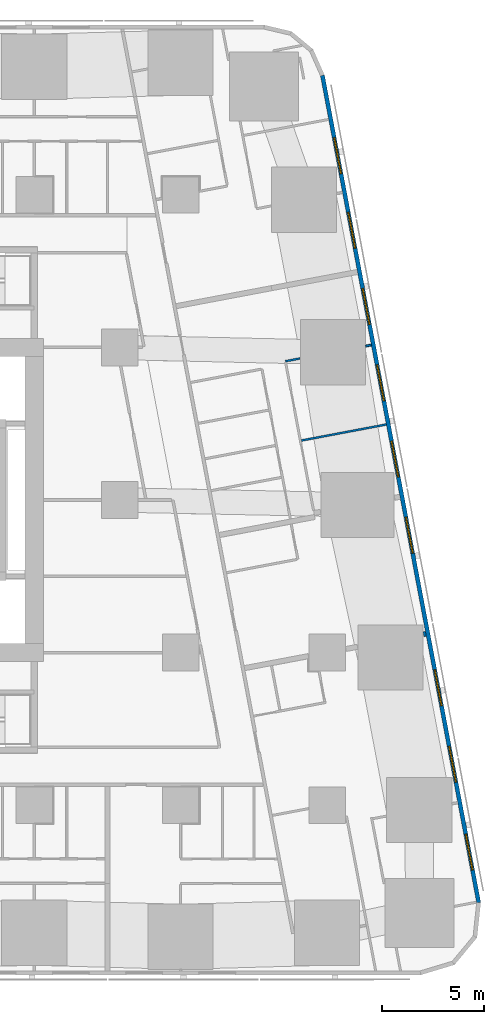
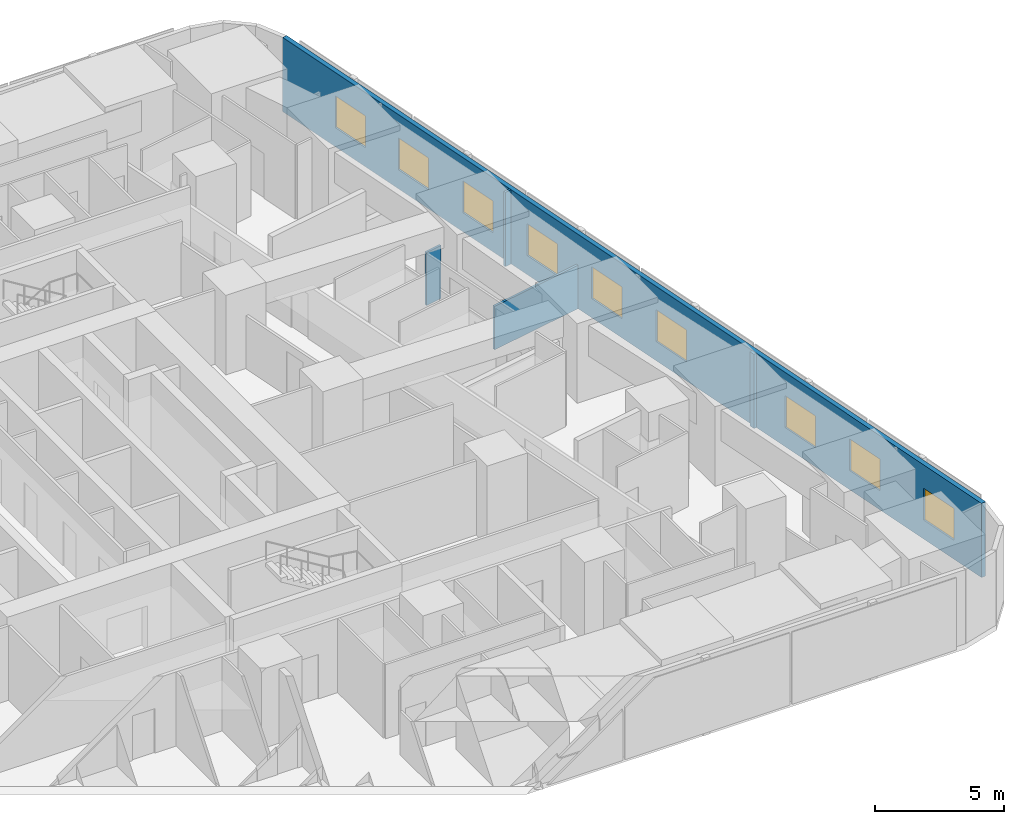
# One storey, part 10 of 17: 9 windows, 5 walls, 9 openings.
"""IFC4 building model written with IfcOpenShell, lengths in metres."""

from ifc_helpers import new_model, si_unit, direction, frame, frame_2d, origin, place, context, subcontext, project, spatial, rectangle, extrude, material, layer, layer_set, type_object, element, fill, save


model = new_model("IFC4")

# Units and contexts
model_context = context("Model", 3, precision=1e-05, world=origin(), true_north=direction((0.0, 1.0)))
body_context = subcontext(model_context, "Body", "Model", "MODEL_VIEW")
ifc_project = project(units=[si_unit("LENGTHUNIT", "METRE"), si_unit("AREAUNIT", "SQUARE_METRE"), si_unit("VOLUMEUNIT", "CUBIC_METRE"), si_unit("PLANEANGLEUNIT", "RADIAN"), si_unit("MASSUNIT", "GRAM", prefix="KILO")], contexts=[model_context])

# Site, building, storey
site_placement = place(None, origin())
site = spatial("IfcSite", under=ifc_project, at=site_placement, CompositionType="ELEMENT")
building_placement = place(site_placement, origin())
building = spatial("IfcBuilding", under=site, at=building_placement, Name="Sheger Commons Tower", CompositionType="ELEMENT")
storey_placement = place(building_placement, frame((0.0, 0.0, 23.75)))
storey = spatial("IfcBuildingStorey", under=building, at=storey_placement, Name="L05", CompositionType="ELEMENT", Elevation=23.75)

# Wall
ifc_material_1 = material(Name="Dense concrete block masonry, plastered both sides (separating wall between flats)", Category="masonry")
ifc_layer_1 = layer(ifc_material_1, 0.25)
ifc_layer_set_1 = layer_set([ifc_layer_1], Name="DEMISING WALL 250")
wall_type_1 = type_object("IfcWallType", Name="DEMISING WALL 250", PredefinedType="SOLIDWALL", material=ifc_layer_set_1)
wall_1_placement = place(storey_placement, frame((48.054931640625, 15.9169921875, 0.0), z_axis=(0.0, 0.0, 1.0), x_axis=(-0.98280243359, -0.184660164975, 0.0)))
element("IfcWall", 1, at=wall_1_placement, inside=storey, type_object=wall_type_1, Name="Demising wall L05", PredefinedType="SOLIDWALL", context=body_context, shape_type="SweptSolid", body=[
    extrude(rectangle(XDim=0.118896484375, YDim=0.25, at=frame_2d((0.0595703125, 0.0))), origin(), (0.0, 0.0, 1.0), 3.5),
])

# Wall, openings, windows
ifc_material_2 = material(Name="Rendered concrete block masonry, dark grey", Category="masonry")
ifc_layer_2 = layer(ifc_material_2, 0.199951171875)
ifc_layer_set_2 = layer_set([ifc_layer_2], Name="FACADE WALL 200")
wall_type_2 = type_object("IfcWallType", Name="FACADE WALL 200", PredefinedType="SOLIDWALL", material=ifc_layer_set_2)
wall_2_placement = place(storey_placement, frame((50.653076171875, 2.702880859375, 0.0), z_axis=(0.0, 0.0, 1.0), x_axis=(-0.185612026696, 0.982623109613, 0.0)))
wall_2 = element("IfcWall", 2, at=wall_2_placement, inside=storey, type_object=wall_type_2, Name="Facade wall L05", PredefinedType="SOLIDWALL", context=body_context, shape_type="SweptSolid", body=[
    extrude(rectangle(XDim=41.393310546875, YDim=0.199951171875, at=frame_2d((20.69677734375, 0.0))), origin(), (0.0, 0.0, 1.0), 3.5),
])
opening_1_placement = place(wall_2_placement, frame((1.633056640625, 0.0, 0.89990234375)))
opening_1 = element("IfcOpeningElement", 3, at=opening_1_placement, cuts=wall_2, Name="Opening W2", PredefinedType="OPENING", context=body_context, shape_type="SweptSolid", body=[
    extrude(rectangle(XDim=1.800048828125, YDim=1.5, at=frame_2d((0.89990234375, 0.75))), frame((0.0, 0.10986328125, 0.0), z_axis=(0.0, -1.0, 0.0), x_axis=(1.0, 0.0, 0.0)), (0.0, 0.0, 1.0), 0.219970703125),
])
opening_2_placement = place(wall_2_placement, frame((6.031982421875, 0.0, 0.89990234375)))
opening_2 = element("IfcOpeningElement", 4, at=opening_2_placement, cuts=wall_2, Name="Opening W2", PredefinedType="OPENING", context=body_context, shape_type="SweptSolid", body=[
    extrude(rectangle(XDim=1.800048828125, YDim=1.5, at=frame_2d((0.89990234375, 0.75))), frame((0.0, 0.10986328125, 0.0), z_axis=(0.0, -1.0, 0.0), x_axis=(1.0, 0.0, 0.0)), (0.0, 0.0, 1.0), 0.219970703125),
])
opening_3_placement = place(wall_2_placement, frame((9.847900390625, 0.0, 0.89990234375)))
opening_3 = element("IfcOpeningElement", 5, at=opening_3_placement, cuts=wall_2, Name="Opening W2", PredefinedType="OPENING", context=body_context, shape_type="SweptSolid", body=[
    extrude(rectangle(XDim=1.800048828125, YDim=1.5, at=frame_2d((0.89990234375, 0.75))), frame((0.0, 0.10986328125, 0.0), z_axis=(0.0, -1.0, 0.0), x_axis=(1.0, 0.0, 0.0)), (0.0, 0.0, 1.0), 0.219970703125),
])
opening_4_placement = place(wall_2_placement, frame((17.48095703125, 0.0, 0.89990234375)))
opening_4 = element("IfcOpeningElement", 6, at=opening_4_placement, cuts=wall_2, Name="Opening W2", PredefinedType="OPENING", context=body_context, shape_type="SweptSolid", body=[
    extrude(rectangle(XDim=1.800048828125, YDim=1.5, at=frame_2d((0.89990234375, 0.75))), frame((0.0, 0.10986328125, 0.0), z_axis=(0.0, -1.0, 0.0), x_axis=(1.0, 0.0, 0.0)), (0.0, 0.0, 1.0), 0.219970703125),
])
opening_5_placement = place(wall_2_placement, frame((21.297119140625, 0.0, 0.89990234375)))
opening_5 = element("IfcOpeningElement", 7, at=opening_5_placement, cuts=wall_2, Name="Opening W2", PredefinedType="OPENING", context=body_context, shape_type="SweptSolid", body=[
    extrude(rectangle(XDim=1.800048828125, YDim=1.5, at=frame_2d((0.89990234375, 0.75))), frame((0.0, 0.10986328125, 0.0), z_axis=(0.0, -1.0, 0.0), x_axis=(1.0, 0.0, 0.0)), (0.0, 0.0, 1.0), 0.219970703125),
])
opening_6_placement = place(wall_2_placement, frame((25.113037109375, 0.0, 0.89990234375)))
opening_6 = element("IfcOpeningElement", 8, at=opening_6_placement, cuts=wall_2, Name="Opening W2", PredefinedType="OPENING", context=body_context, shape_type="SweptSolid", body=[
    extrude(rectangle(XDim=1.800048828125, YDim=1.5, at=frame_2d((0.89990234375, 0.75))), frame((0.0, 0.10986328125, 0.0), z_axis=(0.0, -1.0, 0.0), x_axis=(1.0, 0.0, 0.0)), (0.0, 0.0, 1.0), 0.219970703125),
])
opening_7_placement = place(wall_2_placement, frame((28.929931640625, 0.0, 0.89990234375)))
opening_7 = element("IfcOpeningElement", 9, at=opening_7_placement, cuts=wall_2, Name="Opening W2", PredefinedType="OPENING", context=body_context, shape_type="SweptSolid", body=[
    extrude(rectangle(XDim=1.800048828125, YDim=1.5, at=frame_2d((0.89990234375, 0.75))), frame((0.0, 0.10986328125, 0.0), z_axis=(0.0, -1.0, 0.0), x_axis=(1.0, 0.0, 0.0)), (0.0, 0.0, 1.0), 0.219970703125),
])
opening_8_placement = place(wall_2_placement, frame((32.74609375, 0.0, 0.89990234375)))
opening_8 = element("IfcOpeningElement", 10, at=opening_8_placement, cuts=wall_2, Name="Opening W2", PredefinedType="OPENING", context=body_context, shape_type="SweptSolid", body=[
    extrude(rectangle(XDim=1.800048828125, YDim=1.5, at=frame_2d((0.89990234375, 0.75))), frame((0.0, 0.10986328125, 0.0), z_axis=(0.0, -1.0, 0.0), x_axis=(1.0, 0.0, 0.0)), (0.0, 0.0, 1.0), 0.219970703125),
])
opening_9_placement = place(wall_2_placement, frame((36.48095703125, 0.0, 0.89990234375)))
opening_9 = element("IfcOpeningElement", 11, at=opening_9_placement, cuts=wall_2, Name="Opening W2", PredefinedType="OPENING", context=body_context, shape_type="SweptSolid", body=[
    extrude(rectangle(XDim=1.800048828125, YDim=1.5, at=frame_2d((0.89990234375, 0.75))), frame((0.0, 0.10986328125, 0.0), z_axis=(0.0, -1.0, 0.0), x_axis=(1.0, 0.0, 0.0)), (0.0, 0.0, 1.0), 0.219970703125),
])
ifc_material_3 = material(Name="Black aluminium frame, dark tinted double glazing", Category="aluminium")
window_type = type_object("IfcWindowType", Name="WINDOW W2 1800x1500", PartitioningType="SINGLE_PANEL", PredefinedType="WINDOW", material=ifc_material_3)
window_1_placement = place(opening_1_placement, origin())
window_1 = element("IfcWindow", 12, at=window_1_placement, inside=storey, type_object=window_type, Name="Window W2 1800X1500", OverallHeight=1.5, OverallWidth=1.800048828125, PartitioningType="SINGLE_PANEL", PredefinedType="WINDOW", context=body_context, shape_type="SweptSolid", body=[
    extrude(rectangle(XDim=1.800048828125, YDim=1.5, at=frame_2d((0.89990234375, 0.75))), frame((0.0, 0.030029296875, 0.0), z_axis=(0.0, -1.0, 0.0), x_axis=(1.0, 0.0, 0.0)), (0.0, 0.0, 1.0), 0.06005859375),
])
fill(opening_1, window_1)
window_2_placement = place(opening_2_placement, origin())
window_2 = element("IfcWindow", 13, at=window_2_placement, inside=storey, type_object=window_type, Name="Window W2 1800X1500", OverallHeight=1.5, OverallWidth=1.800048828125, PartitioningType="SINGLE_PANEL", PredefinedType="WINDOW", context=body_context, shape_type="SweptSolid", body=[
    extrude(rectangle(XDim=1.800048828125, YDim=1.5, at=frame_2d((0.89990234375, 0.75))), frame((0.0, 0.030029296875, 0.0), z_axis=(0.0, -1.0, 0.0), x_axis=(1.0, 0.0, 0.0)), (0.0, 0.0, 1.0), 0.06005859375),
])
fill(opening_2, window_2)
window_3_placement = place(opening_3_placement, origin())
window_3 = element("IfcWindow", 14, at=window_3_placement, inside=storey, type_object=window_type, Name="Window W2 1800X1500", OverallHeight=1.5, OverallWidth=1.800048828125, PartitioningType="SINGLE_PANEL", PredefinedType="WINDOW", context=body_context, shape_type="SweptSolid", body=[
    extrude(rectangle(XDim=1.800048828125, YDim=1.5, at=frame_2d((0.89990234375, 0.75))), frame((0.0, 0.030029296875, 0.0), z_axis=(0.0, -1.0, 0.0), x_axis=(1.0, 0.0, 0.0)), (0.0, 0.0, 1.0), 0.06005859375),
])
fill(opening_3, window_3)
window_4_placement = place(opening_4_placement, origin())
window_4 = element("IfcWindow", 15, at=window_4_placement, inside=storey, type_object=window_type, Name="Window W2 1800X1500", OverallHeight=1.5, OverallWidth=1.800048828125, PartitioningType="SINGLE_PANEL", PredefinedType="WINDOW", context=body_context, shape_type="SweptSolid", body=[
    extrude(rectangle(XDim=1.800048828125, YDim=1.5, at=frame_2d((0.89990234375, 0.75))), frame((0.0, 0.030029296875, 0.0), z_axis=(0.0, -1.0, 0.0), x_axis=(1.0, 0.0, 0.0)), (0.0, 0.0, 1.0), 0.06005859375),
])
fill(opening_4, window_4)
window_5_placement = place(opening_5_placement, origin())
window_5 = element("IfcWindow", 16, at=window_5_placement, inside=storey, type_object=window_type, Name="Window W2 1800X1500", OverallHeight=1.5, OverallWidth=1.800048828125, PartitioningType="SINGLE_PANEL", PredefinedType="WINDOW", context=body_context, shape_type="SweptSolid", body=[
    extrude(rectangle(XDim=1.800048828125, YDim=1.5, at=frame_2d((0.89990234375, 0.75))), frame((0.0, 0.030029296875, 0.0), z_axis=(0.0, -1.0, 0.0), x_axis=(1.0, 0.0, 0.0)), (0.0, 0.0, 1.0), 0.06005859375),
])
fill(opening_5, window_5)
window_6_placement = place(opening_6_placement, origin())
window_6 = element("IfcWindow", 17, at=window_6_placement, inside=storey, type_object=window_type, Name="Window W2 1800X1500", OverallHeight=1.5, OverallWidth=1.800048828125, PartitioningType="SINGLE_PANEL", PredefinedType="WINDOW", context=body_context, shape_type="SweptSolid", body=[
    extrude(rectangle(XDim=1.800048828125, YDim=1.5, at=frame_2d((0.89990234375, 0.75))), frame((0.0, 0.030029296875, 0.0), z_axis=(0.0, -1.0, 0.0), x_axis=(1.0, 0.0, 0.0)), (0.0, 0.0, 1.0), 0.06005859375),
])
fill(opening_6, window_6)
window_7_placement = place(opening_7_placement, origin())
window_7 = element("IfcWindow", 18, at=window_7_placement, inside=storey, type_object=window_type, Name="Window W2 1800X1500", OverallHeight=1.5, OverallWidth=1.800048828125, PartitioningType="SINGLE_PANEL", PredefinedType="WINDOW", context=body_context, shape_type="SweptSolid", body=[
    extrude(rectangle(XDim=1.800048828125, YDim=1.5, at=frame_2d((0.89990234375, 0.75))), frame((0.0, 0.030029296875, 0.0), z_axis=(0.0, -1.0, 0.0), x_axis=(1.0, 0.0, 0.0)), (0.0, 0.0, 1.0), 0.06005859375),
])
fill(opening_7, window_7)
window_8_placement = place(opening_8_placement, origin())
window_8 = element("IfcWindow", 19, at=window_8_placement, inside=storey, type_object=window_type, Name="Window W2 1800X1500", OverallHeight=1.5, OverallWidth=1.800048828125, PartitioningType="SINGLE_PANEL", PredefinedType="WINDOW", context=body_context, shape_type="SweptSolid", body=[
    extrude(rectangle(XDim=1.800048828125, YDim=1.5, at=frame_2d((0.89990234375, 0.75))), frame((0.0, 0.030029296875, 0.0), z_axis=(0.0, -1.0, 0.0), x_axis=(1.0, 0.0, 0.0)), (0.0, 0.0, 1.0), 0.06005859375),
])
fill(opening_8, window_8)
window_9_placement = place(opening_9_placement, origin())
window_9 = element("IfcWindow", 20, at=window_9_placement, inside=storey, type_object=window_type, Name="Window W2 1800X1500", OverallHeight=1.5, OverallWidth=1.800048828125, PartitioningType="SINGLE_PANEL", PredefinedType="WINDOW", context=body_context, shape_type="SweptSolid", body=[
    extrude(rectangle(XDim=1.800048828125, YDim=1.5, at=frame_2d((0.89990234375, 0.75))), frame((0.0, 0.030029296875, 0.0), z_axis=(0.0, -1.0, 0.0), x_axis=(1.0, 0.0, 0.0)), (0.0, 0.0, 1.0), 0.06005859375),
])
fill(opening_9, window_9)

# Walls
ifc_material_4 = material(Name="Gypsum board on steel studs", Category="steel")
ifc_layer_3 = layer(ifc_material_4, 0.10009765625)
ifc_layer_set_3 = layer_set([ifc_layer_3], Name="PARTITION 100")
wall_type_3 = type_object("IfcWallType", Name="PARTITION 100", PredefinedType="PARTITIONING", material=ifc_layer_set_3)
wall_3_placement = place(storey_placement, frame((45.3720703125, 30.12109375, 0.0), z_axis=(0.0, 0.0, 1.0), x_axis=(-0.982024635814, -0.188752787143, 0.0)))
element("IfcWall", 21, at=wall_3_placement, inside=storey, type_object=wall_type_3, Name="Partition L05", PredefinedType="PARTITIONING", context=body_context, shape_type="SweptSolid", body=[
    extrude(rectangle(XDim=0.287109375, YDim=0.10009765625, at=frame_2d((0.1435546875, 0.0))), origin(), (0.0, 0.0, 1.0), 3.5),
])
wall_4_placement = place(storey_placement, frame((41.8701171875, 29.458984375, 0.0), z_axis=(0.0, 0.0, 1.0), x_axis=(-0.982532562822, -0.186090738603, 0.0)))
element("IfcWall", 22, at=wall_4_placement, inside=storey, type_object=wall_type_3, Name="Partition L05", PredefinedType="PARTITIONING", context=body_context, shape_type="SweptSolid", body=[
    extrude(rectangle(XDim=0.736083984375, YDim=0.10009765625, at=frame_2d((0.3681640625, 0.0))), origin(), (0.0, 0.0, 1.0), 2.5),
])
wall_5_placement = place(storey_placement, frame((46.110107421875, 26.212890625, 0.0), z_axis=(0.0, 0.0, 1.0), x_axis=(-0.982623519589, -0.185609856287, 0.0)))
element("IfcWall", 23, at=wall_5_placement, inside=storey, type_object=wall_type_3, Name="Partition L05", PredefinedType="PARTITIONING", context=body_context, shape_type="SweptSolid", body=[
    extrude(rectangle(XDim=4.249755859375, YDim=0.10009765625, at=frame_2d((2.125, 0.0))), origin(), (0.0, 0.0, 1.0), 2.050048828125),
])

save(model, "model.ifc")
